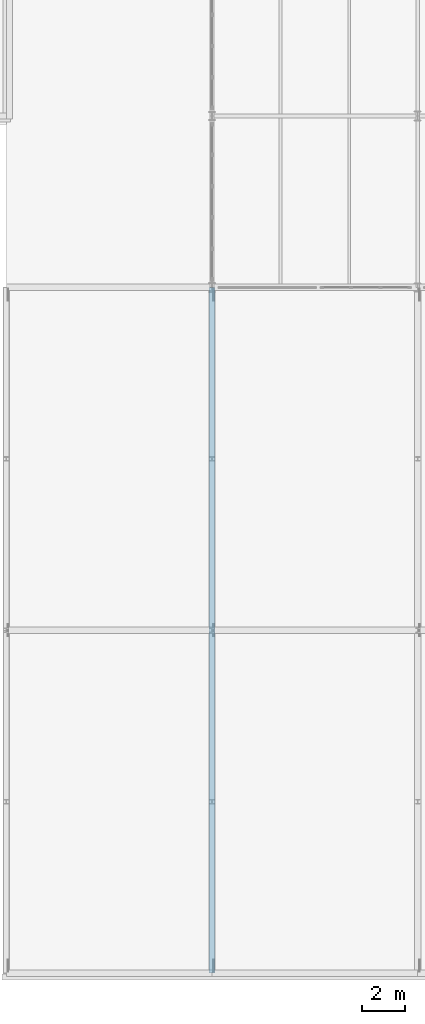
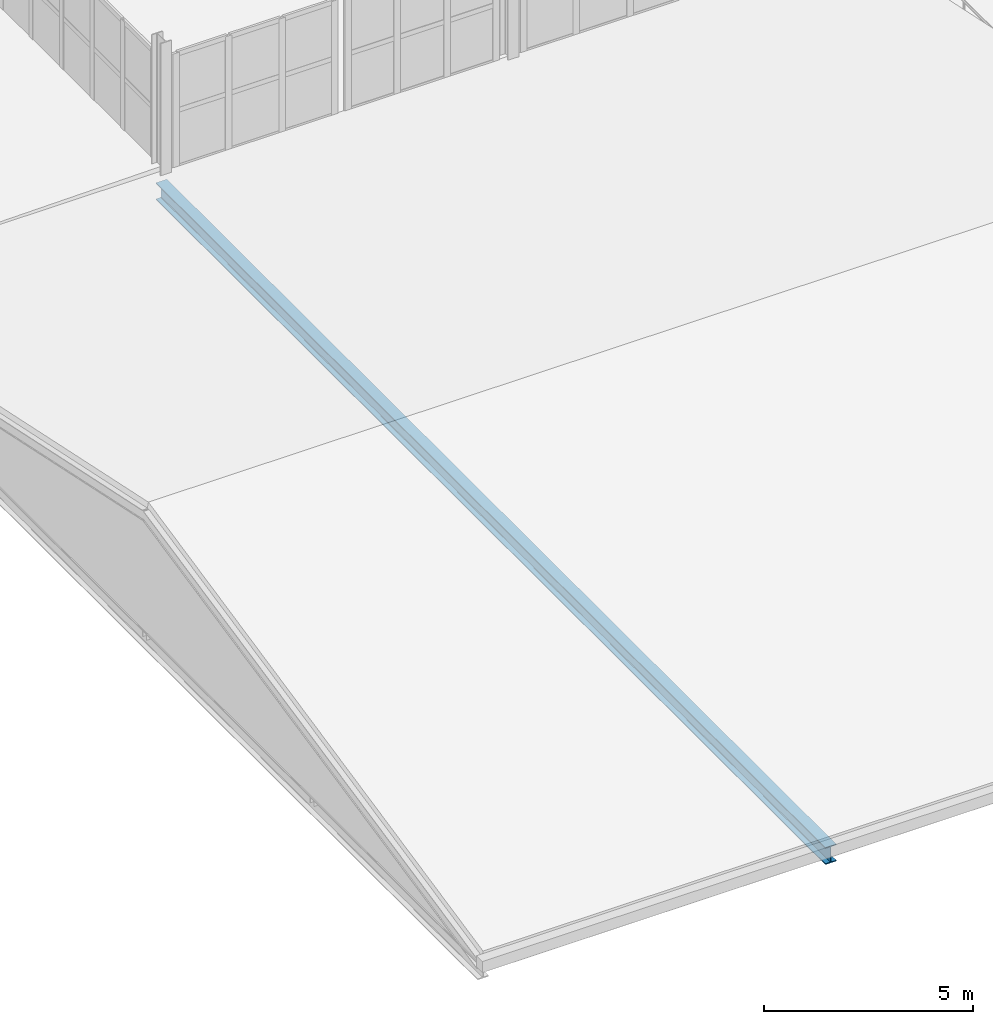
# One storey, part 33 of 85: 1 beam.
"""IFC4 building model written with IfcOpenShell, lengths in metres."""

from ifc_helpers import new_model, si_unit, direction, frame, origin, origin_2d, place, context, subcontext, project, spatial, i_section, extrude, material, material_profile, profile_set, type_object, element, save


model = new_model("IFC4")

# Units and contexts
model_context = context("Model", 3, precision=1e-05, world=origin(), true_north=direction((0.0, 1.0)))
body_context = subcontext(model_context, "Body", "Model", "MODEL_VIEW")
ifc_project = project(units=[si_unit("LENGTHUNIT", "METRE"), si_unit("AREAUNIT", "SQUARE_METRE"), si_unit("VOLUMEUNIT", "CUBIC_METRE"), si_unit("PLANEANGLEUNIT", "RADIAN"), si_unit("MASSUNIT", "GRAM", prefix="KILO")], contexts=[model_context])

# Site, building, storey
site_placement = place(None, origin())
site = spatial("IfcSite", under=ifc_project, at=site_placement, CompositionType="ELEMENT")
building_placement = place(site_placement, origin())
building = spatial("IfcBuilding", under=site, at=building_placement, Name="Alderhovde Museum", CompositionType="ELEMENT")
storey_placement = place(building_placement, frame((0.0, 0.0, 8.699951171875)))
storey = spatial("IfcBuildingStorey", under=building, at=storey_placement, Name="L02", CompositionType="ELEMENT", Elevation=8.699951171875)

# Beam
ifc_material = material(Name="Steel S355J2", Category="steel")
ifc_material_profile = material_profile(ifc_material, i_section(OverallWidth=0.300048828125, OverallDepth=0.5, WebThickness=0.014404296875, FlangeThickness=0.028076171875, FilletRadius=0.027099609375, at=origin_2d()), Name="HEB 500")
ifc_profile_set = profile_set([ifc_material_profile], Name="Steel S355J2")
beam_type = type_object("IfcBeamType", Name="BM-HEB500", PredefinedType="BEAM", material=ifc_profile_set)
beam_placement = place(storey_placement, frame((76.800048828125, 0.0, -0.5), z_axis=(0.0, 1.0, 0.0), x_axis=(-1.0, 0.0, 0.0)))
element("IfcBeam", 1, at=beam_placement, inside=storey, type_object=beam_type, Name="Auditorium Roof Truss X=76.8 Tie", PredefinedType="BEAM", context=body_context, shape_type="SweptSolid", body=[
    extrude(i_section(OverallWidth=0.300048828125, OverallDepth=0.5, WebThickness=0.014404296875, FlangeThickness=0.028076171875, FilletRadius=0.027099609375, at=origin_2d()), origin(), (0.0, 0.0, 1.0), 32.0),
])

save(model, "model.ifc")
